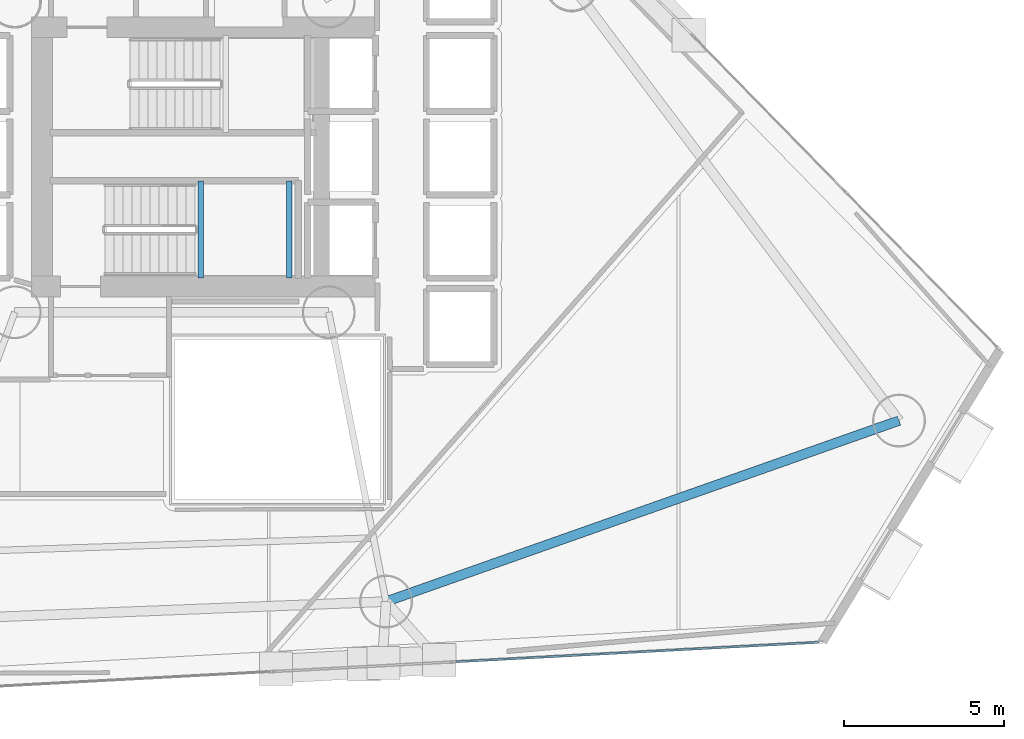
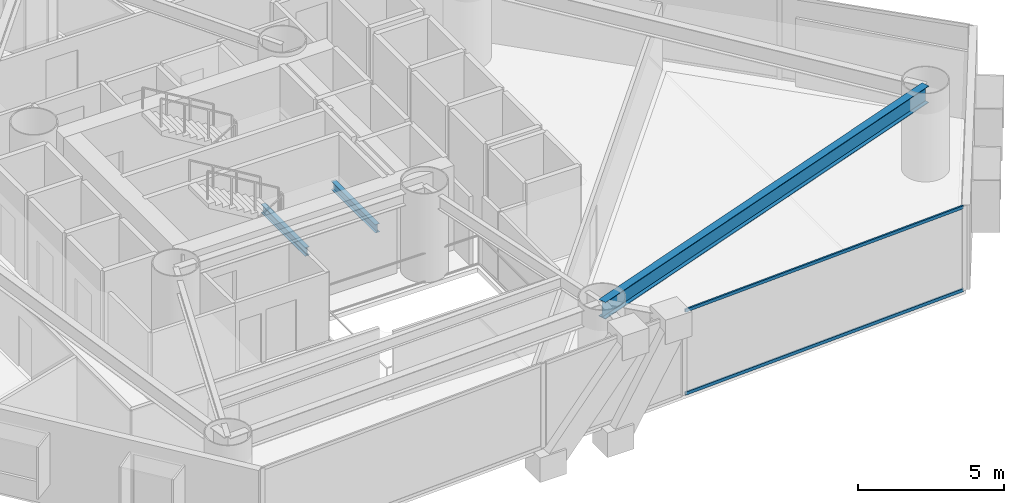
# One storey, part 7 of 23: 3 beams, 2 members, 1 element without a shape of its own.
"""IFC4 building model written with IfcOpenShell, lengths in metres."""

from ifc_helpers import new_model, si_unit, direction, frame, origin, origin_2d, place, context, subcontext, project, spatial, hollow_rectangle, i_section, extrude, material, layer, layer_set, material_profile, profile_set, type_object, element, aggregate, save


model = new_model("IFC4")

# Units and contexts
model_context = context("Model", 3, precision=1e-05, world=origin(), true_north=direction((0.0, 1.0)))
body_context = subcontext(model_context, "Body", "Model", "MODEL_VIEW")
ifc_project = project(units=[si_unit("LENGTHUNIT", "METRE"), si_unit("AREAUNIT", "SQUARE_METRE"), si_unit("VOLUMEUNIT", "CUBIC_METRE"), si_unit("PLANEANGLEUNIT", "RADIAN"), si_unit("MASSUNIT", "GRAM", prefix="KILO")], contexts=[model_context])

# Site, building, storey
site_placement = place(None, origin())
site = spatial("IfcSite", under=ifc_project, at=site_placement, CompositionType="ELEMENT")
building_placement = place(site_placement, origin())
building = spatial("IfcBuilding", under=site, at=building_placement, Name="Qianvela Tower", CompositionType="ELEMENT")
storey_placement = place(building_placement, frame((0.0, 0.0, 56.199951171875)))
storey = spatial("IfcBuildingStorey", under=building, at=storey_placement, Name="L13", CompositionType="ELEMENT", Elevation=56.199951171875)

# Beams
ifc_material_1 = material(Name="Steel Q355B", Category="steel")
ifc_material_profile_1 = material_profile(ifc_material_1, i_section(OverallWidth=0.175048828125, OverallDepth=0.35009765625, WebThickness=0.007080078125, FlangeThickness=0.010986328125, at=origin_2d()), Name="HN350x175x7x11")
ifc_profile_set_1 = profile_set([ifc_material_profile_1], Name="Steel Q355B")
beam_type_1 = type_object("IfcBeamType", Name="BM-HN350-JOIST", PredefinedType="JOIST", material=ifc_profile_set_1)
for number, where, z_axis, x_axis, name in (
    (1, (34.39990234375, 24.919921875, 1.47509765625), (0.0, 1.0, 0.0), (-1.0, 0.0, 0.0), "L13 Stair ST-2 Landing Support Beam 1.1"),
    (2, (37.169921875, 24.919921875, 1.47509765625), (0.0, 1.0, 0.0), (-1.0, 0.0, 0.0), "L13 Stair ST-2 Landing Support Beam 1.2"),
):
    element("IfcBeam", number, at=place(storey_placement, frame(where, z_axis=z_axis, x_axis=x_axis)), inside=storey, type_object=beam_type_1, Name=name, PredefinedType="JOIST", context=body_context, shape_type="SweptSolid", body=[
        extrude(i_section(OverallWidth=0.175048828125, OverallDepth=0.35009765625, WebThickness=0.007080078125, FlangeThickness=0.010986328125, at=origin_2d()), origin(), (0.0, 0.0, 1.0), 3.02001953125),
    ])
ifc_material_2 = material(Name="Steel Q355B", Category="steel")
ifc_material_profile_2 = material_profile(ifc_material_2, i_section(OverallWidth=0.300048828125, OverallDepth=0.699951171875, WebThickness=0.012939453125, FlangeThickness=0.02392578125, at=origin_2d()), Name="HN700x300x13x24")
ifc_profile_set_2 = profile_set([ifc_material_profile_2], Name="Steel Q355B")
beam_type_2 = type_object("IfcBeamType", Name="BM-HN700-SPAND", PredefinedType="SPANDREL", material=ifc_profile_set_2)
beam_placement = place(storey_placement, frame((40.18896484375, 14.819091796875, 3.16796875), z_axis=(0.943021125648, 0.332732860687, 0.0), x_axis=(-0.332732860687, 0.943021125648, 0.0)))
element("IfcBeam", 3, at=beam_placement, inside=storey, type_object=beam_type_2, Name="L13 Perimeter Ring Spandrel Girder 6", PredefinedType="SPANDREL", context=body_context, shape_type="SweptSolid", body=[
    extrude(i_section(OverallWidth=0.300048828125, OverallDepth=0.699951171875, WebThickness=0.012939453125, FlangeThickness=0.02392578125, at=origin_2d()), origin(), (0.0, 0.0, 1.0), 16.977294921875),
])

# Curtain wall, members
ifc_material_3 = material(Name="Anodised Architectural Aluminium and Low-E Glass", Category="aluminium")
ifc_layer = layer(ifc_material_3, 0.179931640625)
ifc_layer_set = layer_set([ifc_layer], Name="Anodised Architectural Aluminium and Low-E Glass")
curtain_wall_type = type_object("IfcCurtainWallType", Name="CW-COLIV-Z12", PredefinedType="USERDEFINED", material=ifc_layer_set)
curtain_wall_placement = place(storey_placement, origin())
curtain_wall = element("IfcCurtainWall", 4, at=curtain_wall_placement, inside=storey, type_object=curtain_wall_type, Name="L13 CW-COLIV-Z12 Curtain Wall 06C", ObjectType="CURTAIN_WALL_SYSTEM", PredefinedType="USERDEFINED")
ifc_material_4 = material(Name="Anodised Architectural Aluminium 6063-T6", Category="aluminium")
ifc_material_profile_3 = material_profile(ifc_material_4, hollow_rectangle(XDim=0.06494140625, YDim=0.1298828125, WallThickness=0.00439453125, at=origin_2d()), Name="ALU-TRAN-65x130")
ifc_profile_set_3 = profile_set([ifc_material_profile_3], Name="Anodised Architectural Aluminium 6063-T6")
member_type = type_object("IfcMemberType", Name="CW-COLIV-Z12-TRAN", PredefinedType="USERDEFINED", material=ifc_profile_set_3)
member_1_placement = place(storey_placement, frame((42.37841796875, 12.94287109375, 0.032470703125), z_axis=(0.998562452463, 0.053600639283, 0.0), x_axis=(-0.053600639283, 0.998562452463, 0.0)))
member_1 = element("IfcMember", 5, at=member_1_placement, type_object=member_type, Name="CW-3 transom 1.1", ObjectType="TRANSOM", PredefinedType="USERDEFINED", context=body_context, shape_type="SweptSolid", body=[
    extrude(hollow_rectangle(XDim=0.06494140625, YDim=0.1298828125, WallThickness=0.00439453125, at=origin_2d()), origin(), (0.0, 0.0, 1.0), 11.327880859375),
])
member_2_placement = place(storey_placement, frame((42.37841796875, 12.94287109375, 3.487548828125), z_axis=(0.998562452463, 0.053600639283, 0.0), x_axis=(-0.053600639283, 0.998562452463, 0.0)))
member_2 = element("IfcMember", 6, at=member_2_placement, type_object=member_type, Name="CW-3 transom 1.2", ObjectType="TRANSOM", PredefinedType="USERDEFINED", context=body_context, shape_type="SweptSolid", body=[
    extrude(hollow_rectangle(XDim=0.06494140625, YDim=0.1298828125, WallThickness=0.00439453125, at=origin_2d()), origin(), (0.0, 0.0, 1.0), 11.327880859375),
])
aggregate(curtain_wall, [member_1, member_2])

save(model, "model.ifc")
